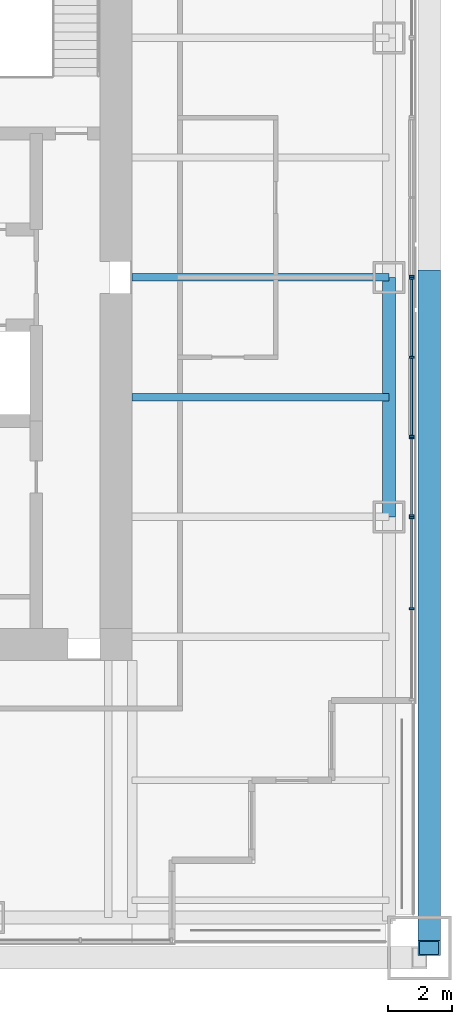
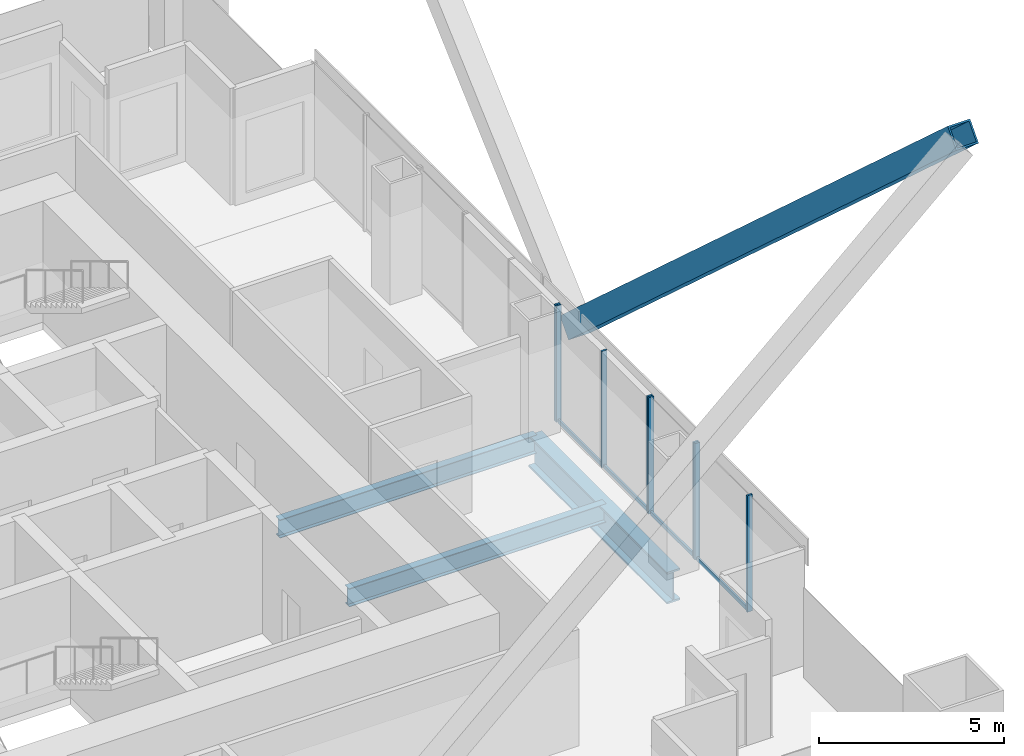
# One storey, part 8 of 19: 13 members, 3 beams, 4 elements without a shape of their own.
"""IFC4 building model written with IfcOpenShell, lengths in metres."""

from ifc_helpers import new_model, si_unit, direction, frame, origin, origin_2d, place, context, subcontext, project, spatial, rectangle, hollow_rectangle, i_section, extrude, material, material_profile, profile_set, type_object, element, aggregate, save


model = new_model("IFC4")

# Units and contexts
model_context = context("Model", 3, precision=1e-05, world=origin(), true_north=direction((0.0, 1.0)))
body_context = subcontext(model_context, "Body", "Model", "MODEL_VIEW")
ifc_project = project(units=[si_unit("LENGTHUNIT", "METRE"), si_unit("AREAUNIT", "SQUARE_METRE"), si_unit("VOLUMEUNIT", "CUBIC_METRE"), si_unit("PLANEANGLEUNIT", "RADIAN"), si_unit("MASSUNIT", "GRAM", prefix="KILO")], contexts=[model_context])

# Site, building, storey
site_placement = place(None, origin())
site = spatial("IfcSite", under=ifc_project, at=site_placement, CompositionType="ELEMENT")
building_placement = place(site_placement, origin())
building = spatial("IfcBuilding", under=site, at=building_placement, Name="Tarangal Relay Tower", CompositionType="ELEMENT")
storey_placement = place(building_placement, frame((0.0, 0.0, 275.89990234375)))
storey = spatial("IfcBuildingStorey", under=building, at=storey_placement, Name="L60", CompositionType="ELEMENT", Elevation=275.89990234375)

# Beams
ifc_material_1 = material(Name="Steel ASTM A992", Category="steel")
ifc_material_profile_1 = material_profile(ifc_material_1, i_section(OverallWidth=0.41162109375, OverallDepth=1.049072265625, WebThickness=0.033935546875, FlangeThickness=0.059814453125, at=origin_2d()), Name="W40X431")
ifc_profile_set_1 = profile_set([ifc_material_profile_1], Name="Steel ASTM A992")
beam_type_1 = type_object("IfcBeamType", Name="Edge girder W40X431", PredefinedType="SPANDREL", material=ifc_profile_set_1)
beam_placement = place(storey_placement, frame((20.0400390625, 0.0, -0.67431640625), z_axis=(0.0, -1.0, 0.0), x_axis=(1.0, 0.0, 0.0)))
element("IfcBeam", 1, at=beam_placement, inside=storey, type_object=beam_type_1, Name="Edge girder EG1 E L60", PredefinedType="SPANDREL", context=body_context, shape_type="SweptSolid", body=[
    extrude(i_section(OverallWidth=0.41162109375, OverallDepth=1.049072265625, WebThickness=0.033935546875, FlangeThickness=0.059814453125, at=origin_2d()), origin(), (0.0, 0.0, 1.0), 7.5),
])
ifc_material_profile_2 = material_profile(ifc_material_1, i_section(OverallWidth=0.228271484375, OverallDepth=0.607177734375, WebThickness=0.01123046875, FlangeThickness=0.017333984375, at=origin_2d()), Name="W24X76")
ifc_profile_set_2 = profile_set([ifc_material_profile_2], Name="Steel ASTM A992")
beam_type_2 = type_object("IfcBeamType", Name="Floor beam W24X76", PredefinedType="BEAM", material=ifc_profile_set_2)
for number, where, z_axis, x_axis, name in (
    (2, (12.0, 0.0, -0.453369140625), (1.0, 0.0, 0.0), (0.0, 1.0, 0.0), "Floor beam RB5 E L60"),
    (3, (12.0, -3.75, -0.453369140625), (1.0, 0.0, 0.0), (0.0, 1.0, 0.0), "Floor beam RB5 E L60"),
):
    element("IfcBeam", number, at=place(storey_placement, frame(where, z_axis=z_axis, x_axis=x_axis)), inside=storey, type_object=beam_type_2, Name=name, PredefinedType="BEAM", context=body_context, shape_type="SweptSolid", body=[
        extrude(i_section(OverallWidth=0.228271484375, OverallDepth=0.607177734375, WebThickness=0.01123046875, FlangeThickness=0.017333984375, at=origin_2d()), origin(), (0.0, 0.0, 1.0), 8.0400390625),
    ])

# Member
ifc_material_2 = material(Name="Steel ASTM A572 Grade 50", Category="steel")
ifc_material_profile_3 = material_profile(ifc_material_2, hollow_rectangle(XDim=0.699951171875, YDim=0.699951171875, WallThickness=0.052001953125, at=origin_2d()), Name="BOX700X700X52")
ifc_profile_set_3 = profile_set([ifc_material_profile_3], Name="Steel ASTM A572 Grade 50")
member_type_1 = type_object("IfcMemberType", Name="Mega brace BOX700X700X52", PredefinedType="BRACE", material=ifc_profile_set_3)
member_1_placement = place(storey_placement, frame((21.300048828125, 0.0, 3.0), z_axis=(0.0, -0.741535779124, 0.670913323969), x_axis=(1.0, 0.0, 0.0)))
element("IfcMember", 4, at=member_1_placement, inside=storey, type_object=member_type_1, Name="Mega brace MB4 E face module 1", PredefinedType="BRACE", context=body_context, shape_type="SweptSolid", body=[
    extrude(hollow_rectangle(XDim=0.699951171875, YDim=0.699951171875, WallThickness=0.052001953125, at=origin_2d()), origin(), (0.0, 0.0, 1.0), 28.319580078125),
])

# Curtain wall, members
ifc_material_3 = material(Name="Unitised curtain wall, dark glass and black aluminium", Category="aluminium")
curtain_wall_type_1 = type_object("IfcCurtainWallType", Name="Curtain wall CW-B", PredefinedType="USERDEFINED", material=ifc_material_3)
curtain_wall_1_placement = place(storey_placement, origin())
curtain_wall_1 = element("IfcCurtainWall", 5, at=curtain_wall_1_placement, inside=storey, type_object=curtain_wall_type_1, Name="Curtain wall CW-B E facade L60", ObjectType="UNITISED CURTAIN WALL", PredefinedType="USERDEFINED")
ifc_material_4 = material(Name="Black anodised aluminium mullion", Category="aluminium")
ifc_material_profile_4 = material_profile(ifc_material_4, rectangle(XDim=0.159912109375, YDim=0.06005859375, at=origin_2d()), Name="CW-BM 60X160")
ifc_profile_set_4 = profile_set([ifc_material_profile_4], Name="Black anodised aluminium mullion")
member_type_2 = type_object("IfcMemberType", Name="Mullion CW-B 60 x 160", PredefinedType="MULLION", material=ifc_profile_set_4)
member_2_placement = place(storey_placement, frame((20.75, -5.030029296875, 0.0), z_axis=(0.0, 0.0, 1.0), x_axis=(1.0, 0.0, 0.0)))
member_2 = element("IfcMember", 6, at=member_2_placement, type_object=member_type_2, Name="CW-B mullion 1", PredefinedType="MULLION", context=body_context, shape_type="SweptSolid", body=[
    extrude(rectangle(XDim=0.159912109375, YDim=0.06005859375, at=origin_2d()), origin(), (0.0, 0.0, 1.0), 3.85009765625),
])
member_3_placement = place(storey_placement, frame((20.75, -7.469970703125, 0.0), z_axis=(0.0, 0.0, 1.0), x_axis=(1.0, 0.0, 0.0)))
member_3 = element("IfcMember", 7, at=member_3_placement, type_object=member_type_2, Name="CW-B mullion 2", PredefinedType="MULLION", context=body_context, shape_type="SweptSolid", body=[
    extrude(rectangle(XDim=0.159912109375, YDim=0.06005859375, at=origin_2d()), origin(), (0.0, 0.0, 1.0), 3.85009765625),
])

curtain_wall_2_placement = place(storey_placement, origin())
curtain_wall_2 = element("IfcCurtainWall", 8, at=curtain_wall_2_placement, inside=storey, type_object=curtain_wall_type_1, Name="Curtain wall CW-B E facade L60", ObjectType="UNITISED CURTAIN WALL", PredefinedType="USERDEFINED")
member_4_placement = place(storey_placement, frame((20.75, -7.530029296875, 0.0), z_axis=(0.0, 0.0, 1.0), x_axis=(1.0, 0.0, 0.0)))
member_4 = element("IfcMember", 9, at=member_4_placement, type_object=member_type_2, Name="CW-B mullion 1", PredefinedType="MULLION", context=body_context, shape_type="SweptSolid", body=[
    extrude(rectangle(XDim=0.159912109375, YDim=0.06005859375, at=origin_2d()), origin(), (0.0, 0.0, 1.0), 3.85009765625),
])
member_5_placement = place(storey_placement, frame((20.75, -10.375, 0.0), z_axis=(0.0, 0.0, 1.0), x_axis=(1.0, 0.0, 0.0)))
member_5 = element("IfcMember", 10, at=member_5_placement, type_object=member_type_2, Name="CW-B mullion 2", PredefinedType="MULLION", context=body_context, shape_type="SweptSolid", body=[
    extrude(rectangle(XDim=0.159912109375, YDim=0.06005859375, at=origin_2d()), origin(), (0.0, 0.0, 1.0), 3.85009765625),
])

# Curtain wall, member
ifc_material_5 = material(Name="Unitised curtain wall frame, black aluminium, with metal clad infill walls", Category="aluminium")
curtain_wall_type_2 = type_object("IfcCurtainWallType", Name="Curtain wall CW-BO", PredefinedType="USERDEFINED", material=ifc_material_5)
curtain_wall_3_placement = place(storey_placement, origin())
curtain_wall_3 = element("IfcCurtainWall", 11, at=curtain_wall_3_placement, inside=storey, type_object=curtain_wall_type_2, Name="Curtain wall CW-BO E facade L60", ObjectType="UNITISED CURTAIN WALL", PredefinedType="USERDEFINED")
ifc_material_profile_5 = material_profile(ifc_material_4, rectangle(XDim=0.159912109375, YDim=0.06005859375, at=origin_2d()), Name="CW-BOM 60X160")
ifc_profile_set_5 = profile_set([ifc_material_profile_5], Name="Black anodised aluminium mullion")
member_type_3 = type_object("IfcMemberType", Name="Mullion CW-BO 60 x 160", PredefinedType="MULLION", material=ifc_profile_set_5)
member_6_placement = place(storey_placement, frame((20.75, 0.030029296875, 0.0), z_axis=(0.0, 0.0, 1.0), x_axis=(1.0, 0.0, 0.0)))
member_6 = element("IfcMember", 12, at=member_6_placement, type_object=member_type_3, Name="CW-BO mullion 3", PredefinedType="MULLION", context=body_context, shape_type="SweptSolid", body=[
    extrude(rectangle(XDim=0.159912109375, YDim=0.06005859375, at=origin_2d()), origin(), (0.0, 0.0, 1.0), 3.85009765625),
])
aggregate(curtain_wall_3, [member_6])

# Curtain wall, members
curtain_wall_4_placement = place(storey_placement, origin())
curtain_wall_4 = element("IfcCurtainWall", 13, at=curtain_wall_4_placement, inside=storey, type_object=curtain_wall_type_2, Name="Curtain wall CW-BO E facade L60", ObjectType="UNITISED CURTAIN WALL", PredefinedType="USERDEFINED")
member_7_placement = place(storey_placement, frame((20.75, -0.030029296875, 0.0), z_axis=(0.0, 0.0, 1.0), x_axis=(1.0, 0.0, 0.0)))
member_7 = element("IfcMember", 14, at=member_7_placement, type_object=member_type_3, Name="CW-BO mullion 1", PredefinedType="MULLION", context=body_context, shape_type="SweptSolid", body=[
    extrude(rectangle(XDim=0.159912109375, YDim=0.06005859375, at=origin_2d()), origin(), (0.0, 0.0, 1.0), 3.85009765625),
])
member_8_placement = place(storey_placement, frame((20.75, -2.5, 0.0), z_axis=(0.0, 0.0, 1.0), x_axis=(1.0, 0.0, 0.0)))
member_8 = element("IfcMember", 15, at=member_8_placement, type_object=member_type_3, Name="CW-BO mullion 2", PredefinedType="MULLION", context=body_context, shape_type="SweptSolid", body=[
    extrude(rectangle(XDim=0.159912109375, YDim=0.06005859375, at=origin_2d()), origin(), (0.0, 0.0, 1.0), 3.85009765625),
])
member_9_placement = place(storey_placement, frame((20.75, -4.969970703125, 0.0), z_axis=(0.0, 0.0, 1.0), x_axis=(1.0, 0.0, 0.0)))
member_9 = element("IfcMember", 16, at=member_9_placement, type_object=member_type_3, Name="CW-BO mullion 3", PredefinedType="MULLION", context=body_context, shape_type="SweptSolid", body=[
    extrude(rectangle(XDim=0.159912109375, YDim=0.06005859375, at=origin_2d()), origin(), (0.0, 0.0, 1.0), 3.85009765625),
])

# Member
ifc_material_6 = material(Name="Black anodised aluminium transom", Category="aluminium")
ifc_material_profile_6 = material_profile(ifc_material_6, rectangle(XDim=0.06005859375, YDim=0.1298828125, at=origin_2d()), Name="CW-BT 60X130")
ifc_profile_set_6 = profile_set([ifc_material_profile_6], Name="Black anodised aluminium transom")
member_type_4 = type_object("IfcMemberType", Name="Transom CW-B 60 x 130", PredefinedType="USERDEFINED", material=ifc_profile_set_6)
member_10_placement = place(storey_placement, frame((20.75, -5.06005859375, 0.030029296875), z_axis=(0.0, -1.0, 0.0), x_axis=(1.0, 0.0, 0.0)))
member_10 = element("IfcMember", 17, at=member_10_placement, type_object=member_type_4, Name="CW-B transom 1.1", ObjectType="TRANSOM", PredefinedType="USERDEFINED", context=body_context, shape_type="SweptSolid", body=[
    extrude(rectangle(XDim=0.06005859375, YDim=0.1298828125, at=origin_2d()), origin(), (0.0, 0.0, 1.0), 2.3798828125),
])

aggregate(curtain_wall_1, [member_2, member_3, member_10])

member_11_placement = place(storey_placement, frame((20.75, -7.56005859375, 0.030029296875), z_axis=(0.0, -1.0, 0.0), x_axis=(1.0, 0.0, 0.0)))
member_11 = element("IfcMember", 18, at=member_11_placement, type_object=member_type_4, Name="CW-B transom 1.1", ObjectType="TRANSOM", PredefinedType="USERDEFINED", context=body_context, shape_type="SweptSolid", body=[
    extrude(rectangle(XDim=0.06005859375, YDim=0.1298828125, at=origin_2d()), origin(), (0.0, 0.0, 1.0), 2.784912109375),
])

aggregate(curtain_wall_2, [member_4, member_5, member_11])

ifc_material_profile_7 = material_profile(ifc_material_6, rectangle(XDim=0.06005859375, YDim=0.1298828125, at=origin_2d()), Name="CW-BOT 60X130")
ifc_profile_set_7 = profile_set([ifc_material_profile_7], Name="Black anodised aluminium transom")
member_type_5 = type_object("IfcMemberType", Name="Transom CW-BO 60 x 130", PredefinedType="USERDEFINED", material=ifc_profile_set_7)
member_12_placement = place(storey_placement, frame((20.75, -0.06005859375, 0.030029296875), z_axis=(0.0, -1.0, 0.0), x_axis=(1.0, 0.0, 0.0)))
member_12 = element("IfcMember", 19, at=member_12_placement, type_object=member_type_5, Name="CW-BO transom 1.1", ObjectType="TRANSOM", PredefinedType="USERDEFINED", context=body_context, shape_type="SweptSolid", body=[
    extrude(rectangle(XDim=0.06005859375, YDim=0.1298828125, at=origin_2d()), origin(), (0.0, 0.0, 1.0), 2.409912109375),
])

member_13_placement = place(storey_placement, frame((20.75, -2.530029296875, 0.030029296875), z_axis=(0.0, -1.0, 0.0), x_axis=(1.0, 0.0, 0.0)))
member_13 = element("IfcMember", 20, at=member_13_placement, type_object=member_type_5, Name="CW-BO transom 2.1", ObjectType="TRANSOM", PredefinedType="USERDEFINED", context=body_context, shape_type="SweptSolid", body=[
    extrude(rectangle(XDim=0.06005859375, YDim=0.1298828125, at=origin_2d()), origin(), (0.0, 0.0, 1.0), 2.409912109375),
])

aggregate(curtain_wall_4, [member_7, member_8, member_9, member_12, member_13])

save(model, "model.ifc")
